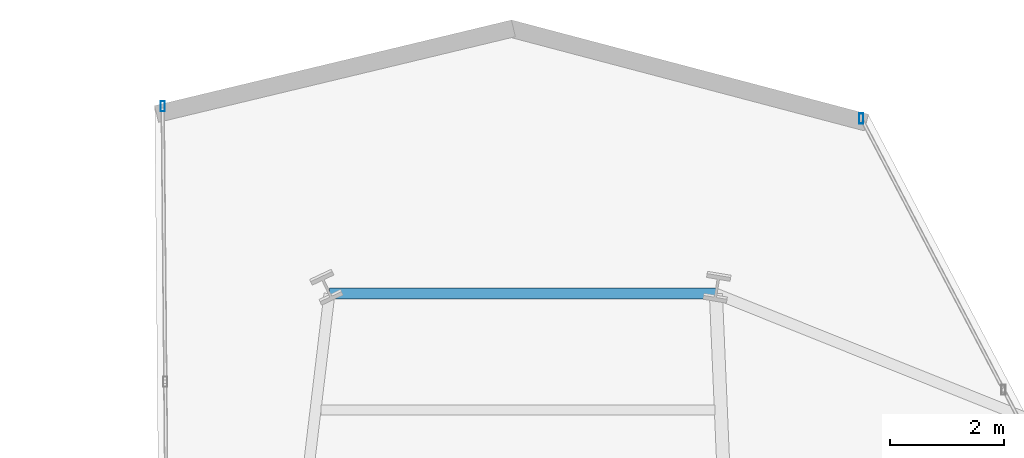
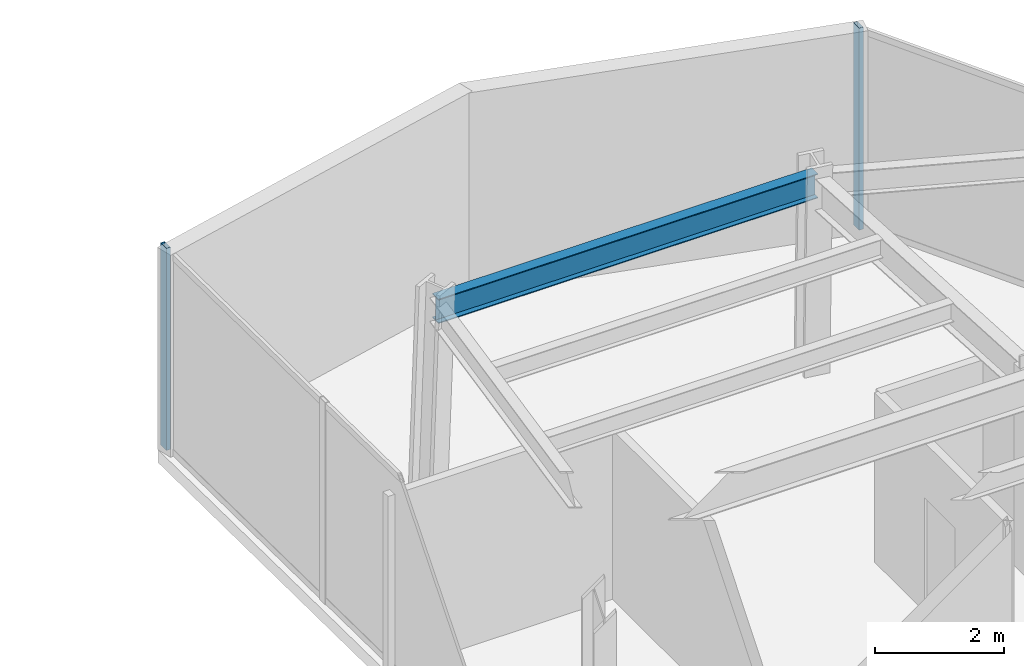
# One storey, part 18 of 25: 2 members, 1 beam, 2 elements without a shape of their own.
"""IFC4 building model written with IfcOpenShell, lengths in metres."""

from ifc_helpers import new_model, si_unit, direction, frame, origin, origin_2d, place, context, subcontext, project, spatial, hollow_rectangle, i_section, extrude, material, layer, layer_set, material_profile, profile_set, type_object, element, aggregate, save


model = new_model("IFC4")

# Units and contexts
model_context = context("Model", 3, precision=1e-05, world=origin(), true_north=direction((0.0, 1.0)))
body_context = subcontext(model_context, "Body", "Model", "MODEL_VIEW")
ifc_project = project(units=[si_unit("LENGTHUNIT", "METRE"), si_unit("AREAUNIT", "SQUARE_METRE"), si_unit("VOLUMEUNIT", "CUBIC_METRE"), si_unit("PLANEANGLEUNIT", "RADIAN"), si_unit("MASSUNIT", "GRAM", prefix="KILO")], contexts=[model_context])

# Site, building, storey
site_placement = place(None, origin())
site = spatial("IfcSite", under=ifc_project, at=site_placement, CompositionType="ELEMENT")
building_placement = place(site_placement, origin())
building = spatial("IfcBuilding", under=site, at=building_placement, Name="Veymaron Broadcast Tower", CompositionType="ELEMENT")
storey_placement = place(building_placement, frame((0.0, 0.0, 149.25)))
storey = spatial("IfcBuildingStorey", under=building, at=storey_placement, Name="L34", CompositionType="ELEMENT", Elevation=149.25)

# Beam
ifc_material_1 = material(Name="Structural steel ASTM A992 Gr 50", Category="steel")
ifc_material_profile_1 = material_profile(ifc_material_1, i_section(OverallWidth=0.19091796875, OverallDepth=0.4599609375, WebThickness=0.010009765625, FlangeThickness=0.01611328125, at=origin_2d()), Name="W460X82")
ifc_profile_set_1 = profile_set([ifc_material_profile_1], Name="Structural steel ASTM A992 Gr 50")
beam_type = type_object("IfcBeamType", Name="BM-SP1", PredefinedType="SPANDREL", material=ifc_profile_set_1)
beam_placement = place(storey_placement, frame((31.961669921875, 38.367919921875, 3.580078125), z_axis=(1.0, 0.0, 0.0), x_axis=(0.0, 1.0, 0.0)))
element("IfcBeam", 1, at=beam_placement, inside=storey, type_object=beam_type, Name="L34 primary structural floor girder", PredefinedType="SPANDREL", context=body_context, shape_type="SweptSolid", body=[
    extrude(i_section(OverallWidth=0.19091796875, OverallDepth=0.4599609375, WebThickness=0.010009765625, FlangeThickness=0.01611328125, at=origin_2d()), origin(), (0.0, 0.0, 1.0), 6.766357421875),
])

# Curtain wall, member
ifc_material_2 = material(Name="Anodised aluminium AA 6063-T6 and laminated low-E dark glass", Category="aluminium")
ifc_layer = layer(ifc_material_2, 0.179931640625)
ifc_layer_set = layer_set([ifc_layer], Name="Anodised aluminium AA 6063-T6 and laminated low-E dark glass")
curtain_wall_type = type_object("IfcCurtainWallType", Name="CW-SYS-03", PredefinedType="NOTDEFINED", material=ifc_layer_set)
curtain_wall_1_placement = place(storey_placement, origin())
curtain_wall_1 = element("IfcCurtainWall", 2, at=curtain_wall_1_placement, inside=storey, type_object=curtain_wall_type, Name="L34 dark-glass curtain wall CW-L34-E5-1", PredefinedType="NOTDEFINED")
ifc_material_3 = material(Name="Anodised aluminium AA 6063-T6", Category="aluminium")
ifc_material_profile_2 = material_profile(ifc_material_3, hollow_rectangle(XDim=0.074951171875, YDim=0.179931640625, WallThickness=0.0048828125, at=origin_2d()), Name="AL180X75X5")
ifc_profile_set_2 = profile_set([ifc_material_profile_2], Name="Anodised aluminium AA 6063-T6")
member_type = type_object("IfcMemberType", Name="CW-MUL-02", PredefinedType="MULLION", material=ifc_profile_set_2)
member_1_placement = place(storey_placement, frame((41.273681640625, 41.43505859375, 0.0), z_axis=(0.0, 0.0, 1.0), x_axis=(1.0, 0.0, 0.0)))
member_1 = element("IfcMember", 3, at=member_1_placement, type_object=member_type, Name="CW-L34-E5-1 mullion 2", PredefinedType="MULLION", context=body_context, shape_type="SweptSolid", body=[
    extrude(hollow_rectangle(XDim=0.074951171875, YDim=0.179931640625, WallThickness=0.0048828125, at=origin_2d()), origin(), (0.0, 0.0, 1.0), 3.81005859375),
])
aggregate(curtain_wall_1, [member_1])

curtain_wall_2_placement = place(storey_placement, origin())
curtain_wall_2 = element("IfcCurtainWall", 4, at=curtain_wall_2_placement, inside=storey, type_object=curtain_wall_type, Name="L34 dark-glass curtain wall CW-L34-E8-1", PredefinedType="NOTDEFINED")
member_2_placement = place(storey_placement, frame((29.042236328125, 41.6513671875, 0.0), z_axis=(0.0, 0.0, 1.0), x_axis=(1.0, 0.0, 0.0)))
member_2 = element("IfcMember", 5, at=member_2_placement, type_object=member_type, Name="CW-L34-E8-1 mullion 0", PredefinedType="MULLION", context=body_context, shape_type="SweptSolid", body=[
    extrude(hollow_rectangle(XDim=0.074951171875, YDim=0.179931640625, WallThickness=0.0048828125, at=origin_2d()), origin(), (0.0, 0.0, 1.0), 3.81005859375),
])
aggregate(curtain_wall_2, [member_2])

save(model, "model.ifc")
